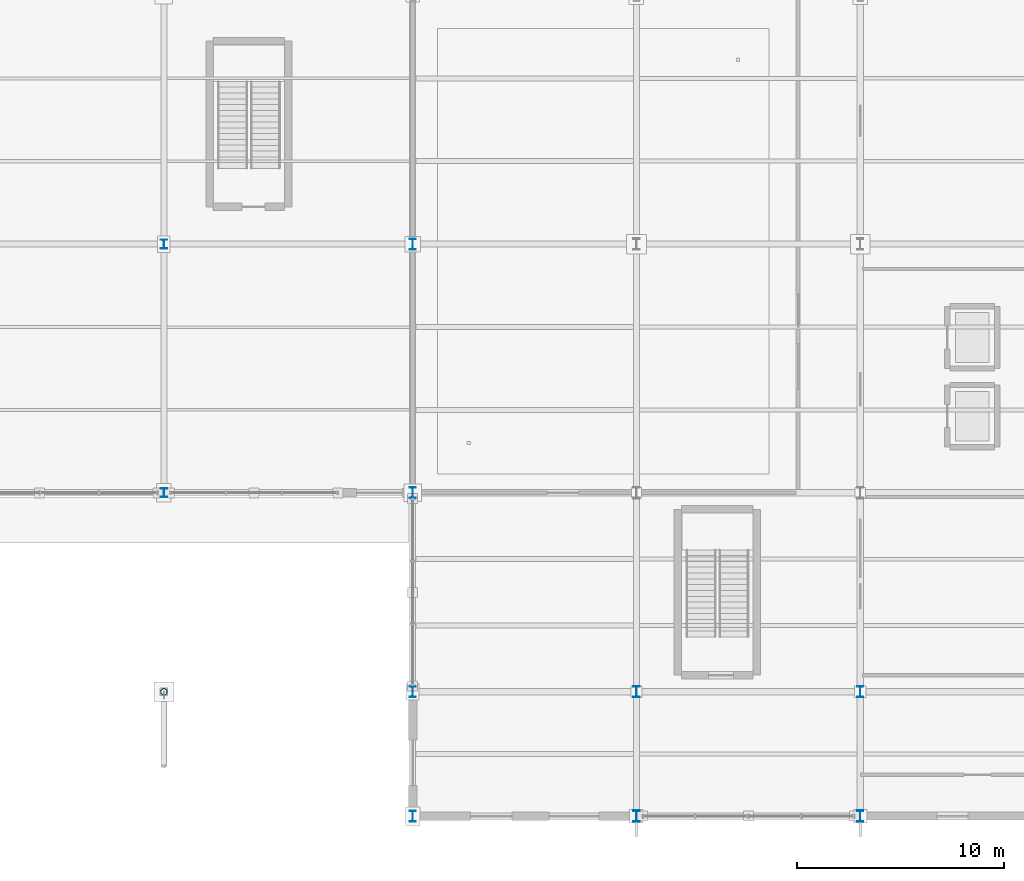
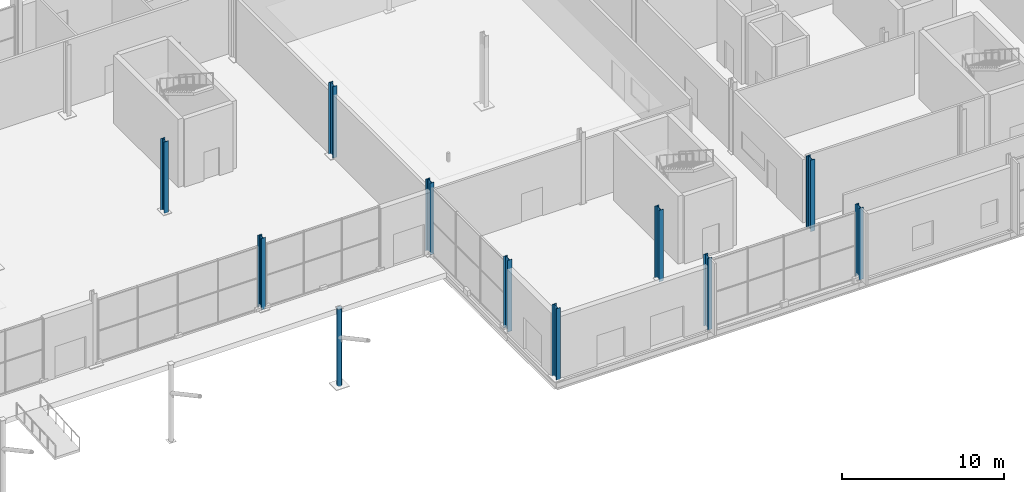
# One storey, part 17 of 196: 11 columns.
"""IFC4 building model written with IfcOpenShell, lengths in metres."""

from ifc_helpers import new_model, si_unit, direction, frame, origin, origin_2d, place, context, subcontext, project, spatial, hollow_circle, i_section, extrude, material, material_profile, profile_set, type_object, element, save


model = new_model("IFC4")

# Units and contexts
model_context = context("Model", 3, precision=1e-05, world=origin(), true_north=direction((0.0, 1.0)))
body_context = subcontext(model_context, "Body", "Model", "MODEL_VIEW")
ifc_project = project(units=[si_unit("LENGTHUNIT", "METRE"), si_unit("AREAUNIT", "SQUARE_METRE"), si_unit("VOLUMEUNIT", "CUBIC_METRE"), si_unit("PLANEANGLEUNIT", "RADIAN"), si_unit("MASSUNIT", "GRAM", prefix="KILO")], contexts=[model_context])

# Site, building, storey
site_placement = place(None, origin())
site = spatial("IfcSite", under=ifc_project, at=site_placement, CompositionType="ELEMENT")
building_placement = place(site_placement, origin())
building = spatial("IfcBuilding", under=site, at=building_placement, Name="Merenkruunu Market Hall", CompositionType="ELEMENT")
storey_placement = place(building_placement, origin())
storey = spatial("IfcBuildingStorey", under=building, at=storey_placement, Name="L00", CompositionType="ELEMENT", Elevation=0.0)

# Columns
ifc_material_1 = material(Name="Steel S355ML", Category="steel")
ifc_material_profile_1 = material_profile(ifc_material_1, i_section(OverallWidth=0.300048828125, OverallDepth=0.550048828125, WebThickness=0.014892578125, FlangeThickness=0.029052734375, FilletRadius=0.027099609375, at=origin_2d()), Name="HEB 550")
ifc_profile_set_1 = profile_set([ifc_material_profile_1], Name="Steel S355ML")
column_type_1 = type_object("IfcColumnType", Name="Structural Column C02", PredefinedType="COLUMN", material=ifc_profile_set_1)
for number, where, z_axis, x_axis, name in (
    (1, (159.60009765625, 0.0, 0.0), (0.0, 0.0, 1.0), (1.0, 0.0, 0.0), "COL-L00-R-01"),
    (2, (159.60009765625, 6.0, 0.0), (0.0, 0.0, 1.0), (1.0, 0.0, 0.0), "COL-L00-R-02"),
    (3, (170.39990234375, 0.0, 0.0), (0.0, 0.0, 1.0), (1.0, 0.0, 0.0), "COL-L00-S-01"),
    (4, (170.39990234375, 6.0, 0.0), (0.0, 0.0, 1.0), (1.0, 0.0, 0.0), "COL-L00-S-02"),
):
    element("IfcColumn", number, at=place(storey_placement, frame(where, z_axis=z_axis, x_axis=x_axis)), inside=storey, type_object=column_type_1, Name=name, PredefinedType="COLUMN", context=body_context, shape_type="SweptSolid", body=[
        extrude(i_section(OverallWidth=0.300048828125, OverallDepth=0.550048828125, WebThickness=0.014892578125, FlangeThickness=0.029052734375, FilletRadius=0.027099609375, at=origin_2d()), origin(), (0.0, 0.0, 1.0), 5.39990234375),
    ])
ifc_material_2 = material(Name="Steel S355J2", Category="steel")
ifc_material_profile_2 = material_profile(ifc_material_2, i_section(OverallWidth=0.300048828125, OverallDepth=0.5400390625, WebThickness=0.012451171875, FlangeThickness=0.02392578125, FilletRadius=0.027099609375, at=origin_2d()), Name="HEA 550")
ifc_profile_set_2 = profile_set([ifc_material_profile_2], Name="Steel S355J2")
column_type_2 = type_object("IfcColumnType", Name="Structural Column C06", PredefinedType="COLUMN", material=ifc_profile_set_2)
for number, where, z_axis, x_axis, name in (
    (5, (148.800048828125, 0.0, 0.0), (0.0, 0.0, 1.0), (1.0, 0.0, 0.0), "COL-L00-Q-01"),
    (6, (148.800048828125, 6.0, 0.0), (0.0, 0.0, 1.0), (1.0, 0.0, 0.0), "COL-L00-Q-02"),
    (7, (148.800048828125, 15.60009765625, 0.0), (0.0, 0.0, 1.0), (1.0, 0.0, 0.0), "COL-L00-Q-03"),
    (8, (148.800048828125, 27.60009765625, 0.0), (0.0, 0.0, 1.0), (1.0, 0.0, 0.0), "COL-L00-Q-04"),
):
    element("IfcColumn", number, at=place(storey_placement, frame(where, z_axis=z_axis, x_axis=x_axis)), inside=storey, type_object=column_type_2, Name=name, PredefinedType="COLUMN", context=body_context, shape_type="SweptSolid", body=[
        extrude(i_section(OverallWidth=0.300048828125, OverallDepth=0.5400390625, WebThickness=0.012451171875, FlangeThickness=0.02392578125, FilletRadius=0.027099609375, at=origin_2d()), origin(), (0.0, 0.0, 1.0), 5.39990234375),
    ])
ifc_material_profile_3 = material_profile(ifc_material_2, i_section(OverallWidth=0.300048828125, OverallDepth=0.43994140625, WebThickness=0.011474609375, FlangeThickness=0.02099609375, FilletRadius=0.027099609375, at=origin_2d()), Name="HEA 450")
ifc_profile_set_3 = profile_set([ifc_material_profile_3], Name="Steel S355J2")
column_type_3 = type_object("IfcColumnType", Name="Structural Column C07", PredefinedType="COLUMN", material=ifc_profile_set_3)
for number, where, z_axis, x_axis, name in (
    (9, (136.800048828125, 15.60009765625, 0.0), (0.0, 0.0, 1.0), (1.0, 0.0, 0.0), "COL-L00-P-03"),
    (10, (136.800048828125, 27.60009765625, 0.0), (0.0, 0.0, 1.0), (1.0, 0.0, 0.0), "COL-L00-P-04"),
):
    element("IfcColumn", number, at=place(storey_placement, frame(where, z_axis=z_axis, x_axis=x_axis)), inside=storey, type_object=column_type_3, Name=name, PredefinedType="COLUMN", context=body_context, shape_type="SweptSolid", body=[
        extrude(i_section(OverallWidth=0.300048828125, OverallDepth=0.43994140625, WebThickness=0.011474609375, FlangeThickness=0.02099609375, FilletRadius=0.027099609375, at=origin_2d()), origin(), (0.0, 0.0, 1.0), 5.39990234375),
    ])
ifc_material_profile_4 = material_profile(ifc_material_1, hollow_circle(Radius=0.161865234375, WallThickness=0.01611328125, at=origin_2d()), Name="CHS 323.9x16")
ifc_profile_set_4 = profile_set([ifc_material_profile_4], Name="Steel S355ML")
column_type_4 = type_object("IfcColumnType", Name="Structural Column C13", PredefinedType="COLUMN", material=ifc_profile_set_4)
column_placement = place(storey_placement, frame((136.800048828125, 6.0, 0.0), z_axis=(0.0, 0.0, 1.0), x_axis=(1.0, 0.0, 0.0)))
element("IfcColumn", 11, at=column_placement, inside=storey, type_object=column_type_4, Name="COL-L00-P-02", PredefinedType="COLUMN", context=body_context, shape_type="SweptSolid", body=[
    extrude(hollow_circle(Radius=0.161865234375, WallThickness=0.01611328125, at=origin_2d()), origin(), (0.0, 0.0, 1.0), 5.840087890625),
])

save(model, "model.ifc")
